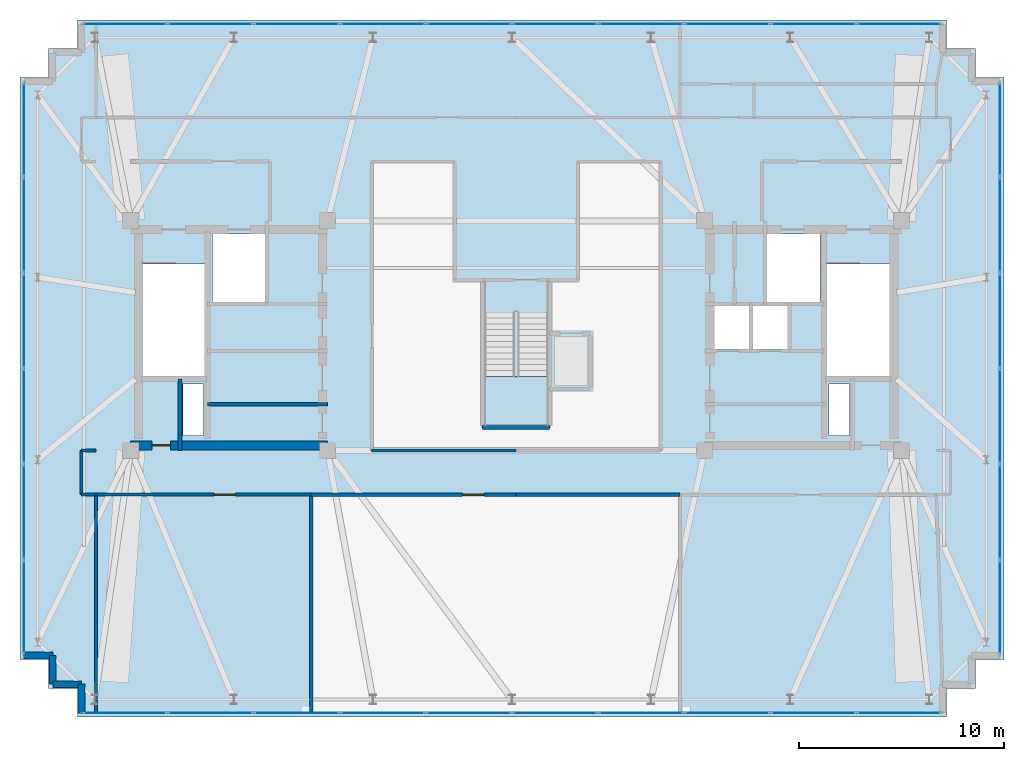
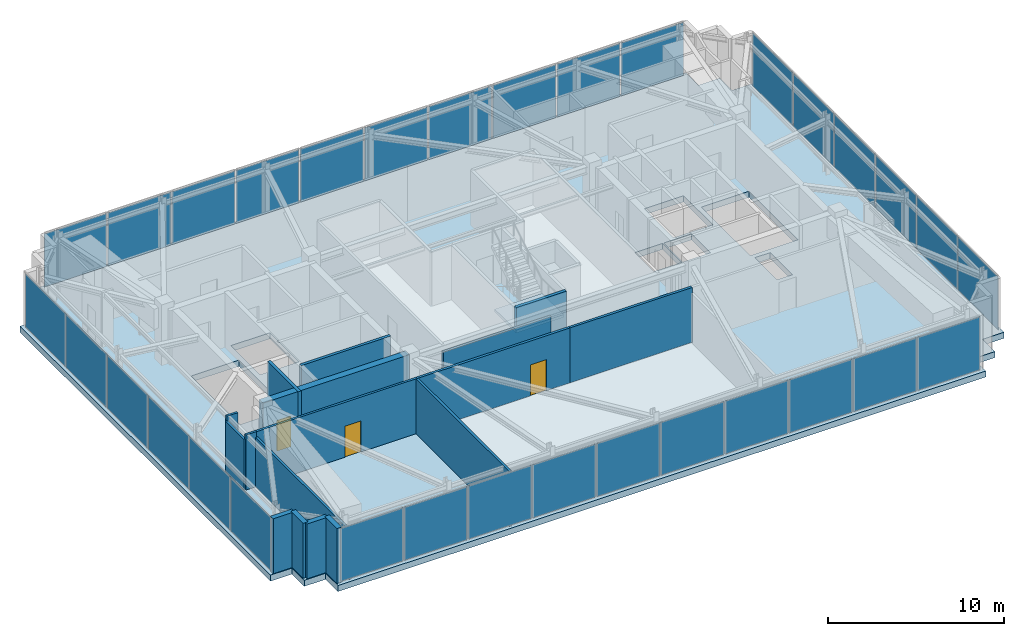
# One storey, part 21 of 27: 32 plates, 17 walls, 3 doors, 2 slabs, 3 openings, 5 elements without a shape of their own.
"""IFC4 building model written with IfcOpenShell, lengths in metres."""

from ifc_helpers import new_model, si_unit, direction, frame, frame_2d, origin, origin_2d, place, context, subcontext, project, spatial, polyline, rectangle, outline, extrude, material, layer, layer_set, type_object, element, fill, aggregate, save


model = new_model("IFC4")

# Units and contexts
model_context = context("Model", 3, precision=1e-05, world=origin(), true_north=direction((0.0, 1.0)))
body_context = subcontext(model_context, "Body", "Model", "MODEL_VIEW")
ifc_project = project(units=[si_unit("LENGTHUNIT", "METRE"), si_unit("AREAUNIT", "SQUARE_METRE"), si_unit("VOLUMEUNIT", "CUBIC_METRE"), si_unit("PLANEANGLEUNIT", "RADIAN"), si_unit("MASSUNIT", "GRAM", prefix="KILO")], contexts=[model_context])

# Site, building, storey
site_placement = place(None, origin())
site = spatial("IfcSite", under=ifc_project, at=site_placement, CompositionType="ELEMENT")
building_placement = place(site_placement, origin())
building = spatial("IfcBuilding", under=site, at=building_placement, Name="Qobustan Lattice House", CompositionType="ELEMENT")
storey_placement = place(building_placement, frame((0.0, 0.0, 266.0)))
storey = spatial("IfcBuildingStorey", under=building, at=storey_placement, Name="L75", CompositionType="ELEMENT", Elevation=266.0)

# Curtain wall, plates
ifc_material_1 = material(Name="Anodised aluminium and low-E glazing", Category="aluminium")
ifc_layer_1 = layer(ifc_material_1, 0.219970703125)
ifc_layer_set_1 = layer_set([ifc_layer_1], Name="Anodised aluminium and low-E glazing")
curtain_wall_type = type_object("IfcCurtainWallType", Name="CW-OBS-01", PredefinedType="USERDEFINED", material=ifc_layer_set_1)
curtain_wall_1_placement = place(storey_placement, origin())
curtain_wall_1 = element("IfcCurtainWall", 1, at=curtain_wall_1_placement, inside=storey, type_object=curtain_wall_type, Name="L75 W panoramic observation curtain wall", ObjectType="CURTAIN WALL", PredefinedType="USERDEFINED")
ifc_material_2 = material(Name="Clear low-E laminated glass", Category="glass")
ifc_layer_2 = layer(ifc_material_2, 0.031982421875)
ifc_layer_set_2 = layer_set([ifc_layer_2], Name="Clear low-E laminated glass")
plate_type = type_object("IfcPlateType", Name="CWP-VISION-32", PredefinedType="CURTAIN_PANEL", material=ifc_layer_set_2)
plate_1_placement = place(storey_placement, frame((-24.0, -13.24658203125, 0.06494140625), z_axis=(0.0, 0.0, 1.0), x_axis=(0.0, 1.0, 0.0)))
plate_1 = element("IfcPlate", 2, at=plate_1_placement, type_object=plate_type, Name="CW-OB panel 1.1", PredefinedType="CURTAIN_PANEL", context=body_context, shape_type="SweptSolid", body=[
    extrude(rectangle(XDim=4.546630859375, YDim=0.031982421875, at=origin_2d()), origin(), (0.0, 0.0, 1.0), 3.669921875),
])
plate_2_placement = place(storey_placement, frame((-24.0, -8.60009765625, 0.06494140625), z_axis=(0.0, 0.0, 1.0), x_axis=(0.0, 1.0, 0.0)))
plate_2 = element("IfcPlate", 3, at=plate_2_placement, type_object=plate_type, Name="CW-OB panel 2.1", PredefinedType="CURTAIN_PANEL", context=body_context, shape_type="SweptSolid", body=[
    extrude(rectangle(XDim=4.586669921875, YDim=0.031982421875, at=origin_2d()), origin(), (0.0, 0.0, 1.0), 3.669921875),
])
plate_3_placement = place(storey_placement, frame((-24.0, -3.933349609375, 0.06494140625), z_axis=(0.0, 0.0, 1.0), x_axis=(0.0, 1.0, 0.0)))
plate_3 = element("IfcPlate", 4, at=plate_3_placement, type_object=plate_type, Name="CW-OB panel 3.1", PredefinedType="CURTAIN_PANEL", context=body_context, shape_type="SweptSolid", body=[
    extrude(rectangle(XDim=4.586669921875, YDim=0.031982421875, at=origin_2d()), origin(), (0.0, 0.0, 1.0), 3.669921875),
])
plate_4_placement = place(storey_placement, frame((-24.0, 0.7333984375, 0.06494140625), z_axis=(0.0, 0.0, 1.0), x_axis=(0.0, 1.0, 0.0)))
plate_4 = element("IfcPlate", 5, at=plate_4_placement, type_object=plate_type, Name="CW-OB panel 4.1", PredefinedType="CURTAIN_PANEL", context=body_context, shape_type="SweptSolid", body=[
    extrude(rectangle(XDim=4.586669921875, YDim=0.031982421875, at=origin_2d()), origin(), (0.0, 0.0, 1.0), 3.669921875),
])
plate_5_placement = place(storey_placement, frame((-24.0, 5.39990234375, 0.06494140625), z_axis=(0.0, 0.0, 1.0), x_axis=(0.0, 1.0, 0.0)))
plate_5 = element("IfcPlate", 6, at=plate_5_placement, type_object=plate_type, Name="CW-OB panel 5.1", PredefinedType="CURTAIN_PANEL", context=body_context, shape_type="SweptSolid", body=[
    extrude(rectangle(XDim=4.586669921875, YDim=0.031982421875, at=origin_2d()), origin(), (0.0, 0.0, 1.0), 3.669921875),
])
plate_6_placement = place(storey_placement, frame((-24.0, 10.046630859375, 0.06494140625), z_axis=(0.0, 0.0, 1.0), x_axis=(0.0, 1.0, 0.0)))
plate_6 = element("IfcPlate", 7, at=plate_6_placement, type_object=plate_type, Name="CW-OB panel 6.1", PredefinedType="CURTAIN_PANEL", context=body_context, shape_type="SweptSolid", body=[
    extrude(rectangle(XDim=4.546630859375, YDim=0.031982421875, at=origin_2d()), origin(), (0.0, 0.0, 1.0), 3.669921875),
])
aggregate(curtain_wall_1, [plate_1, plate_2, plate_3, plate_4, plate_5, plate_6])

curtain_wall_2_placement = place(storey_placement, origin())
curtain_wall_2 = element("IfcCurtainWall", 8, at=curtain_wall_2_placement, inside=storey, type_object=curtain_wall_type, Name="L75 N panoramic observation curtain wall", ObjectType="CURTAIN WALL", PredefinedType="USERDEFINED")
plate_7_placement = place(storey_placement, frame((-19.080078125, 15.199951171875, 0.06494140625), z_axis=(0.0, 0.0, 1.0), x_axis=(1.0, 0.0, 0.0)))
plate_7 = element("IfcPlate", 9, at=plate_7_placement, type_object=plate_type, Name="CW-OB panel 1.1", PredefinedType="CURTAIN_PANEL", context=body_context, shape_type="SweptSolid", body=[
    extrude(rectangle(XDim=4.080078125, YDim=0.031982421875, at=origin_2d()), origin(), (0.0, 0.0, 1.0), 3.669921875),
])
plate_8_placement = place(storey_placement, frame((-14.89990234375, 15.199951171875, 0.06494140625), z_axis=(0.0, 0.0, 1.0), x_axis=(1.0, 0.0, 0.0)))
plate_8 = element("IfcPlate", 10, at=plate_8_placement, type_object=plate_type, Name="CW-OB panel 2.1", PredefinedType="CURTAIN_PANEL", context=body_context, shape_type="SweptSolid", body=[
    extrude(rectangle(XDim=4.1201171875, YDim=0.031982421875, at=origin_2d()), origin(), (0.0, 0.0, 1.0), 3.669921875),
])
plate_9_placement = place(storey_placement, frame((-10.699951171875, 15.199951171875, 0.06494140625), z_axis=(0.0, 0.0, 1.0), x_axis=(1.0, 0.0, 0.0)))
plate_9 = element("IfcPlate", 11, at=plate_9_placement, type_object=plate_type, Name="CW-OB panel 3.1", PredefinedType="CURTAIN_PANEL", context=body_context, shape_type="SweptSolid", body=[
    extrude(rectangle(XDim=4.1201171875, YDim=0.031982421875, at=origin_2d()), origin(), (0.0, 0.0, 1.0), 3.669921875),
])
plate_10_placement = place(storey_placement, frame((-6.5, 15.199951171875, 0.06494140625), z_axis=(0.0, 0.0, 1.0), x_axis=(1.0, 0.0, 0.0)))
plate_10 = element("IfcPlate", 12, at=plate_10_placement, type_object=plate_type, Name="CW-OB panel 4.1", PredefinedType="CURTAIN_PANEL", context=body_context, shape_type="SweptSolid", body=[
    extrude(rectangle(XDim=4.1201171875, YDim=0.031982421875, at=origin_2d()), origin(), (0.0, 0.0, 1.0), 3.669921875),
])
plate_11_placement = place(storey_placement, frame((-2.300048828125, 15.199951171875, 0.06494140625), z_axis=(0.0, 0.0, 1.0), x_axis=(1.0, 0.0, 0.0)))
plate_11 = element("IfcPlate", 13, at=plate_11_placement, type_object=plate_type, Name="CW-OB panel 5.1", PredefinedType="CURTAIN_PANEL", context=body_context, shape_type="SweptSolid", body=[
    extrude(rectangle(XDim=4.1201171875, YDim=0.031982421875, at=origin_2d()), origin(), (0.0, 0.0, 1.0), 3.669921875),
])
plate_12_placement = place(storey_placement, frame((1.89990234375, 15.199951171875, 0.06494140625), z_axis=(0.0, 0.0, 1.0), x_axis=(1.0, 0.0, 0.0)))
plate_12 = element("IfcPlate", 14, at=plate_12_placement, type_object=plate_type, Name="CW-OB panel 6.1", PredefinedType="CURTAIN_PANEL", context=body_context, shape_type="SweptSolid", body=[
    extrude(rectangle(XDim=4.1201171875, YDim=0.031982421875, at=origin_2d()), origin(), (0.0, 0.0, 1.0), 3.669921875),
])
plate_13_placement = place(storey_placement, frame((6.10009765625, 15.199951171875, 0.06494140625), z_axis=(0.0, 0.0, 1.0), x_axis=(1.0, 0.0, 0.0)))
plate_13 = element("IfcPlate", 15, at=plate_13_placement, type_object=plate_type, Name="CW-OB panel 7.1", PredefinedType="CURTAIN_PANEL", context=body_context, shape_type="SweptSolid", body=[
    extrude(rectangle(XDim=4.1201171875, YDim=0.031982421875, at=origin_2d()), origin(), (0.0, 0.0, 1.0), 3.669921875),
])
plate_14_placement = place(storey_placement, frame((10.300048828125, 15.199951171875, 0.06494140625), z_axis=(0.0, 0.0, 1.0), x_axis=(1.0, 0.0, 0.0)))
plate_14 = element("IfcPlate", 16, at=plate_14_placement, type_object=plate_type, Name="CW-OB panel 8.1", PredefinedType="CURTAIN_PANEL", context=body_context, shape_type="SweptSolid", body=[
    extrude(rectangle(XDim=4.1201171875, YDim=0.031982421875, at=origin_2d()), origin(), (0.0, 0.0, 1.0), 3.669921875),
])
plate_15_placement = place(storey_placement, frame((14.5, 15.199951171875, 0.06494140625), z_axis=(0.0, 0.0, 1.0), x_axis=(1.0, 0.0, 0.0)))
plate_15 = element("IfcPlate", 17, at=plate_15_placement, type_object=plate_type, Name="CW-OB panel 9.1", PredefinedType="CURTAIN_PANEL", context=body_context, shape_type="SweptSolid", body=[
    extrude(rectangle(XDim=4.1201171875, YDim=0.031982421875, at=origin_2d()), origin(), (0.0, 0.0, 1.0), 3.669921875),
])
plate_16_placement = place(storey_placement, frame((18.679931640625, 15.199951171875, 0.06494140625), z_axis=(0.0, 0.0, 1.0), x_axis=(1.0, 0.0, 0.0)))
plate_16 = element("IfcPlate", 18, at=plate_16_placement, type_object=plate_type, Name="CW-OB panel 10.1", PredefinedType="CURTAIN_PANEL", context=body_context, shape_type="SweptSolid", body=[
    extrude(rectangle(XDim=4.080078125, YDim=0.031982421875, at=origin_2d()), origin(), (0.0, 0.0, 1.0), 3.669921875),
])
aggregate(curtain_wall_2, [plate_7, plate_8, plate_9, plate_10, plate_11, plate_12, plate_13, plate_14, plate_15, plate_16])

curtain_wall_3_placement = place(storey_placement, origin())
curtain_wall_3 = element("IfcCurtainWall", 19, at=curtain_wall_3_placement, inside=storey, type_object=curtain_wall_type, Name="L75 E panoramic observation curtain wall", ObjectType="CURTAIN WALL", PredefinedType="USERDEFINED")
plate_17_placement = place(storey_placement, frame((23.60009765625, 10.046630859375, 0.06494140625), z_axis=(0.0, 0.0, 1.0), x_axis=(0.0, -1.0, 0.0)))
plate_17 = element("IfcPlate", 20, at=plate_17_placement, type_object=plate_type, Name="CW-OB panel 1.1", PredefinedType="CURTAIN_PANEL", context=body_context, shape_type="SweptSolid", body=[
    extrude(rectangle(XDim=4.546630859375, YDim=0.031982421875, at=origin_2d()), origin(), (0.0, 0.0, 1.0), 3.669921875),
])
plate_18_placement = place(storey_placement, frame((23.60009765625, 5.39990234375, 0.06494140625), z_axis=(0.0, 0.0, 1.0), x_axis=(0.0, -1.0, 0.0)))
plate_18 = element("IfcPlate", 21, at=plate_18_placement, type_object=plate_type, Name="CW-OB panel 2.1", PredefinedType="CURTAIN_PANEL", context=body_context, shape_type="SweptSolid", body=[
    extrude(rectangle(XDim=4.586669921875, YDim=0.031982421875, at=origin_2d()), origin(), (0.0, 0.0, 1.0), 3.669921875),
])
plate_19_placement = place(storey_placement, frame((23.60009765625, 0.7333984375, 0.06494140625), z_axis=(0.0, 0.0, 1.0), x_axis=(0.0, -1.0, 0.0)))
plate_19 = element("IfcPlate", 22, at=plate_19_placement, type_object=plate_type, Name="CW-OB panel 3.1", PredefinedType="CURTAIN_PANEL", context=body_context, shape_type="SweptSolid", body=[
    extrude(rectangle(XDim=4.586669921875, YDim=0.031982421875, at=origin_2d()), origin(), (0.0, 0.0, 1.0), 3.669921875),
])
plate_20_placement = place(storey_placement, frame((23.60009765625, -3.933349609375, 0.06494140625), z_axis=(0.0, 0.0, 1.0), x_axis=(0.0, -1.0, 0.0)))
plate_20 = element("IfcPlate", 23, at=plate_20_placement, type_object=plate_type, Name="CW-OB panel 4.1", PredefinedType="CURTAIN_PANEL", context=body_context, shape_type="SweptSolid", body=[
    extrude(rectangle(XDim=4.586669921875, YDim=0.031982421875, at=origin_2d()), origin(), (0.0, 0.0, 1.0), 3.669921875),
])
plate_21_placement = place(storey_placement, frame((23.60009765625, -8.60009765625, 0.06494140625), z_axis=(0.0, 0.0, 1.0), x_axis=(0.0, -1.0, 0.0)))
plate_21 = element("IfcPlate", 24, at=plate_21_placement, type_object=plate_type, Name="CW-OB panel 5.1", PredefinedType="CURTAIN_PANEL", context=body_context, shape_type="SweptSolid", body=[
    extrude(rectangle(XDim=4.586669921875, YDim=0.031982421875, at=origin_2d()), origin(), (0.0, 0.0, 1.0), 3.669921875),
])
plate_22_placement = place(storey_placement, frame((23.60009765625, -13.24658203125, 0.06494140625), z_axis=(0.0, 0.0, 1.0), x_axis=(0.0, -1.0, 0.0)))
plate_22 = element("IfcPlate", 25, at=plate_22_placement, type_object=plate_type, Name="CW-OB panel 6.1", PredefinedType="CURTAIN_PANEL", context=body_context, shape_type="SweptSolid", body=[
    extrude(rectangle(XDim=4.546630859375, YDim=0.031982421875, at=origin_2d()), origin(), (0.0, 0.0, 1.0), 3.669921875),
])
aggregate(curtain_wall_3, [plate_17, plate_18, plate_19, plate_20, plate_21, plate_22])

curtain_wall_4_placement = place(storey_placement, origin())
curtain_wall_4 = element("IfcCurtainWall", 26, at=curtain_wall_4_placement, inside=storey, type_object=curtain_wall_type, Name="L75 S panoramic observation curtain wall", ObjectType="CURTAIN WALL", PredefinedType="USERDEFINED")
plate_23_placement = place(storey_placement, frame((18.679931640625, -18.39990234375, 0.06494140625), z_axis=(0.0, 0.0, 1.0), x_axis=(-1.0, 0.0, 0.0)))
plate_23 = element("IfcPlate", 27, at=plate_23_placement, type_object=plate_type, Name="CW-OB panel 1.1", PredefinedType="CURTAIN_PANEL", context=body_context, shape_type="SweptSolid", body=[
    extrude(rectangle(XDim=4.080078125, YDim=0.031982421875, at=origin_2d()), origin(), (0.0, 0.0, 1.0), 3.669921875),
])
plate_24_placement = place(storey_placement, frame((14.5, -18.39990234375, 0.06494140625), z_axis=(0.0, 0.0, 1.0), x_axis=(-1.0, 0.0, 0.0)))
plate_24 = element("IfcPlate", 28, at=plate_24_placement, type_object=plate_type, Name="CW-OB panel 2.1", PredefinedType="CURTAIN_PANEL", context=body_context, shape_type="SweptSolid", body=[
    extrude(rectangle(XDim=4.1201171875, YDim=0.031982421875, at=origin_2d()), origin(), (0.0, 0.0, 1.0), 3.669921875),
])
plate_25_placement = place(storey_placement, frame((10.300048828125, -18.39990234375, 0.06494140625), z_axis=(0.0, 0.0, 1.0), x_axis=(-1.0, 0.0, 0.0)))
plate_25 = element("IfcPlate", 29, at=plate_25_placement, type_object=plate_type, Name="CW-OB panel 3.1", PredefinedType="CURTAIN_PANEL", context=body_context, shape_type="SweptSolid", body=[
    extrude(rectangle(XDim=4.1201171875, YDim=0.031982421875, at=origin_2d()), origin(), (0.0, 0.0, 1.0), 3.669921875),
])
plate_26_placement = place(storey_placement, frame((6.10009765625, -18.39990234375, 0.06494140625), z_axis=(0.0, 0.0, 1.0), x_axis=(-1.0, 0.0, 0.0)))
plate_26 = element("IfcPlate", 30, at=plate_26_placement, type_object=plate_type, Name="CW-OB panel 4.1", PredefinedType="CURTAIN_PANEL", context=body_context, shape_type="SweptSolid", body=[
    extrude(rectangle(XDim=4.1201171875, YDim=0.031982421875, at=origin_2d()), origin(), (0.0, 0.0, 1.0), 3.669921875),
])
plate_27_placement = place(storey_placement, frame((1.89990234375, -18.39990234375, 0.06494140625), z_axis=(0.0, 0.0, 1.0), x_axis=(-1.0, 0.0, 0.0)))
plate_27 = element("IfcPlate", 31, at=plate_27_placement, type_object=plate_type, Name="CW-OB panel 5.1", PredefinedType="CURTAIN_PANEL", context=body_context, shape_type="SweptSolid", body=[
    extrude(rectangle(XDim=4.1201171875, YDim=0.031982421875, at=origin_2d()), origin(), (0.0, 0.0, 1.0), 3.669921875),
])
plate_28_placement = place(storey_placement, frame((-2.300048828125, -18.39990234375, 0.06494140625), z_axis=(0.0, 0.0, 1.0), x_axis=(-1.0, 0.0, 0.0)))
plate_28 = element("IfcPlate", 32, at=plate_28_placement, type_object=plate_type, Name="CW-OB panel 6.1", PredefinedType="CURTAIN_PANEL", context=body_context, shape_type="SweptSolid", body=[
    extrude(rectangle(XDim=4.1201171875, YDim=0.031982421875, at=origin_2d()), origin(), (0.0, 0.0, 1.0), 3.669921875),
])
plate_29_placement = place(storey_placement, frame((-6.5, -18.39990234375, 0.06494140625), z_axis=(0.0, 0.0, 1.0), x_axis=(-1.0, 0.0, 0.0)))
plate_29 = element("IfcPlate", 33, at=plate_29_placement, type_object=plate_type, Name="CW-OB panel 7.1", PredefinedType="CURTAIN_PANEL", context=body_context, shape_type="SweptSolid", body=[
    extrude(rectangle(XDim=4.1201171875, YDim=0.031982421875, at=origin_2d()), origin(), (0.0, 0.0, 1.0), 3.669921875),
])
plate_30_placement = place(storey_placement, frame((-10.699951171875, -18.39990234375, 0.06494140625), z_axis=(0.0, 0.0, 1.0), x_axis=(-1.0, 0.0, 0.0)))
plate_30 = element("IfcPlate", 34, at=plate_30_placement, type_object=plate_type, Name="CW-OB panel 8.1", PredefinedType="CURTAIN_PANEL", context=body_context, shape_type="SweptSolid", body=[
    extrude(rectangle(XDim=4.1201171875, YDim=0.031982421875, at=origin_2d()), origin(), (0.0, 0.0, 1.0), 3.669921875),
])
plate_31_placement = place(storey_placement, frame((-14.89990234375, -18.39990234375, 0.06494140625), z_axis=(0.0, 0.0, 1.0), x_axis=(-1.0, 0.0, 0.0)))
plate_31 = element("IfcPlate", 35, at=plate_31_placement, type_object=plate_type, Name="CW-OB panel 9.1", PredefinedType="CURTAIN_PANEL", context=body_context, shape_type="SweptSolid", body=[
    extrude(rectangle(XDim=4.1201171875, YDim=0.031982421875, at=origin_2d()), origin(), (0.0, 0.0, 1.0), 3.669921875),
])
plate_32_placement = place(storey_placement, frame((-19.080078125, -18.39990234375, 0.06494140625), z_axis=(0.0, 0.0, 1.0), x_axis=(-1.0, 0.0, 0.0)))
plate_32 = element("IfcPlate", 36, at=plate_32_placement, type_object=plate_type, Name="CW-OB panel 10.1", PredefinedType="CURTAIN_PANEL", context=body_context, shape_type="SweptSolid", body=[
    extrude(rectangle(XDim=4.080078125, YDim=0.031982421875, at=origin_2d()), origin(), (0.0, 0.0, 1.0), 3.669921875),
])
aggregate(curtain_wall_4, [plate_23, plate_24, plate_25, plate_26, plate_27, plate_28, plate_29, plate_30, plate_31, plate_32])

# Slab
ifc_material_3 = material(Name="Concrete C50/60", Category="concrete")
ifc_layer_3 = layer(ifc_material_3, 0.419921875)
ifc_layer_set_3 = layer_set([ifc_layer_3], Name="Concrete C50/60")
slab_type_1 = type_object("IfcSlabType", Name="SLB-FLR-420", PredefinedType="FLOOR", material=ifc_layer_set_3)
slab_1_placement = place(storey_placement, frame((0.0, 0.0, -0.419921875)))
element("IfcSlab", 37, at=slab_1_placement, inside=storey, type_object=slab_type_1, Name="L75 structural floor slab", PredefinedType="FLOOR", context=body_context, shape_type="SweptSolid", body=[
    extrude(outline(polyline([(-21.39990234375, -18.60009765625), (21.0, -18.60009765625), (21.0, -17.199951171875), (22.39990234375, -17.199951171875), (22.39990234375, -15.800048828125), (23.800048828125, -15.800048828125), (23.800048828125, 12.60009765625), (22.39990234375, 12.60009765625), (22.39990234375, 14.0), (21.0, 14.0), (21.0, 15.39990234375), (-21.39990234375, 15.39990234375), (-21.39990234375, 14.0), (-22.800048828125, 14.0), (-22.800048828125, 12.60009765625), (-24.199951171875, 12.60009765625), (-24.199951171875, -15.800048828125), (-22.800048828125, -15.800048828125), (-22.800048828125, -17.199951171875), (-21.39990234375, -17.199951171875), (-21.39990234375, -18.60009765625)]), holes=[polyline([(-18.25, -2.050048828125), (-18.25, 3.489990234375), (-15.1298828125, 3.489990234375), (-15.1298828125, -2.050048828125), (-18.25, -2.050048828125)]), polyline([(15.1298828125, -2.050048828125), (15.1298828125, 3.489990234375), (18.25, 3.489990234375), (18.25, -2.050048828125), (15.1298828125, -2.050048828125)]), polyline([(-14.820068359375, 1.64990234375), (-14.820068359375, 4.9599609375), (-12.25, 4.9599609375), (-12.25, 1.64990234375), (-14.820068359375, 1.64990234375)]), polyline([(12.25, 1.64990234375), (12.25, 4.9599609375), (14.820068359375, 4.9599609375), (14.820068359375, 1.64990234375), (12.25, 1.64990234375)]), polyline([(-16.260009765625, -4.8798828125), (-16.260009765625, -2.360107421875), (-15.260009765625, -2.360107421875), (-15.260009765625, -4.8798828125), (-16.260009765625, -4.8798828125)]), polyline([(15.260009765625, -4.8798828125), (15.260009765625, -2.360107421875), (16.260009765625, -2.360107421875), (16.260009765625, -4.8798828125), (15.260009765625, -4.8798828125)]), polyline([(9.6201171875, -0.679931640625), (9.6201171875, 1.47998046875), (11.43994140625, 1.47998046875), (11.43994140625, -0.679931640625), (9.6201171875, -0.679931640625)]), polyline([(11.5, -0.679931640625), (11.5, 1.47998046875), (13.320068359375, 1.47998046875), (13.320068359375, -0.679931640625), (11.5, -0.679931640625)])]), origin(), (0.0, 0.0, 1.0), 0.419921875),
])

# Stair, slab
ifc_material_4 = material(Name="Concrete C40/50", Category="concrete")
stair_type = type_object("IfcStairType", Name="STR-CORE-DOGLEG", PredefinedType="HALF_TURN_STAIR", material=ifc_material_4)
stair_placement = place(storey_placement, origin())
stair = element("IfcStair", 38, at=stair_placement, inside=storey, type_object=stair_type, Name="L75 Crown access stair ST-C1", PredefinedType="HALF_TURN_STAIR")
ifc_material_5 = material(Name="Concrete C40/50", Category="concrete")
ifc_layer_4 = layer(ifc_material_5, 0.199951171875)
ifc_layer_set_4 = layer_set([ifc_layer_4], Name="Concrete C40/50")
slab_type_2 = type_object("IfcSlabType", Name="SLB-LANDING-200", PredefinedType="LANDING", material=ifc_layer_set_4)
slab_2_placement = place(storey_placement, frame((0.0, 0.0, 1.89990234375)))
slab_2 = element("IfcSlab", 39, at=slab_2_placement, type_object=slab_type_2, Name="ST-C1 landing 1", PredefinedType="LANDING", context=body_context, shape_type="SweptSolid", body=[
    extrude(outline(polyline([(-1.56005859375, -1.985107421875), (-1.56005859375, -4.39990234375), (1.56005859375, -4.39990234375), (1.56005859375, -1.985107421875), (-1.56005859375, -1.985107421875)])), origin(), (0.0, 0.0, 1.0), 0.2001953125),
])
aggregate(stair, [slab_2])

# Wall, opening, door
ifc_material_6 = material(Name="Concrete C50/60", Category="concrete")
ifc_layer_5 = layer(ifc_material_6, 0.43994140625)
ifc_layer_set_5 = layer_set([ifc_layer_5], Name="Concrete C50/60")
wall_type_1 = type_object("IfcWallType", Name="WAL-CORE-440", PredefinedType="SHEAR", material=ifc_layer_set_5)
wall_1_placement = place(storey_placement, frame((-18.800048828125, -5.35009765625, 0.0), z_axis=(0.0, 0.0, 1.0), x_axis=(1.0, 0.0, 0.0)))
wall_1 = element("IfcWall", 40, at=wall_1_placement, inside=storey, type_object=wall_type_1, Name="L75 split-core shear wall CW-S", PredefinedType="SHEAR", context=body_context, shape_type="SweptSolid", body=[
    extrude(rectangle(XDim=9.60009765625, YDim=0.43994140625, at=frame_2d((4.800048828125, 0.0))), origin(), (0.0, 0.0, 1.0), 3.800048828125),
])
opening_1_placement = place(wall_1_placement, frame((1.050048828125, 0.0, 0.0)))
opening_1 = element("IfcOpeningElement", 41, at=opening_1_placement, cuts=wall_1, Name="Opening RD-01", PredefinedType="OPENING", context=body_context, shape_type="SweptSolid", body=[
    extrude(rectangle(XDim=0.89990234375, YDim=2.10009765625, at=frame_2d((0.449951171875, 1.050048828125))), frame((0.0, 0.22998046875, 0.0), z_axis=(0.0, -1.0, 0.0), x_axis=(1.0, 0.0, 0.0)), (0.0, 0.0, 1.0), 0.4599609375),
])
ifc_material_7 = material(Name="Persian walnut timber and steel frame door", Category="steel")
door_type_1 = type_object("IfcDoorType", Name="DOR-RISER-FD-900x2100", OperationType="NOTDEFINED", PredefinedType="DOOR", material=ifc_material_7)
door_1_placement = place(opening_1_placement, origin())
door_1 = element("IfcDoor", 42, at=door_1_placement, inside=storey, type_object=door_type_1, Name="L75 core service riser access door W", OperationType="SINGLE_SWING_LEFT", OverallHeight=2.10009765625, OverallWidth=0.89990234375, PredefinedType="DOOR", context=body_context, shape_type="SweptSolid", body=[
    extrude(rectangle(XDim=0.89990234375, YDim=2.10009765625, at=frame_2d((0.449951171875, 1.050048828125))), frame((0.0, 0.02490234375, 0.0), z_axis=(0.0, -1.0, 0.0), x_axis=(1.0, 0.0, 0.0)), (0.0, 0.0, 1.0), 0.050048828125),
])
fill(opening_1, door_1)

# Walls
ifc_material_8 = material(Name="Precast concrete C40/50", Category="concrete")
ifc_layer_6 = layer(ifc_material_8, 0.320068359375)
ifc_layer_set_6 = layer_set([ifc_layer_6], Name="Precast concrete C40/50")
wall_type_2 = type_object("IfcWallType", Name="WAL-EXT-STONE-320", PredefinedType="SOLIDWALL", material=ifc_layer_set_6)
wall_2_placement = place(storey_placement, frame((-21.199951171875, -18.39990234375, 0.0), z_axis=(0.0, 0.0, 1.0), x_axis=(0.0, 1.0, 0.0)))
element("IfcWall", 43, at=wall_2_placement, inside=storey, type_object=wall_type_2, Name="L75 exterior limestone-clad wall 1", PredefinedType="SOLIDWALL", context=body_context, shape_type="SweptSolid", body=[
    extrude(rectangle(XDim=1.39990234375, YDim=0.320068359375, at=frame_2d((0.699951171875, 0.0))), origin(), (0.0, 0.0, 1.0), 3.800048828125),
])
wall_3_placement = place(storey_placement, frame((-21.199951171875, -17.0, 0.0), z_axis=(0.0, 0.0, 1.0), x_axis=(-1.0, 0.0, 0.0)))
element("IfcWall", 44, at=wall_3_placement, inside=storey, type_object=wall_type_2, Name="L75 exterior limestone-clad wall 2", PredefinedType="SOLIDWALL", context=body_context, shape_type="SweptSolid", body=[
    extrude(rectangle(XDim=1.400146484375, YDim=0.320068359375, at=frame_2d((0.7001953125, 0.0))), origin(), (0.0, 0.0, 1.0), 3.800048828125),
])
for number, where, z_axis, x_axis, name in (
    (45, (-22.60009765625, -17.0, 0.0), (0.0, 0.0, 1.0), (0.0, 1.0, 0.0), "L75 exterior limestone-clad wall 3"),
    (46, (-22.60009765625, -15.60009765625, 0.0), (0.0, 0.0, 1.0), (-1.0, 0.0, 0.0), "L75 exterior limestone-clad wall 4"),
):
    element("IfcWall", number, at=place(storey_placement, frame(where, z_axis=z_axis, x_axis=x_axis)), inside=storey, type_object=wall_type_2, Name=name, PredefinedType="SOLIDWALL", context=body_context, shape_type="SweptSolid", body=[
        extrude(rectangle(XDim=1.39990234375, YDim=0.320068359375, at=frame_2d((0.699951171875, 0.0))), origin(), (0.0, 0.0, 1.0), 3.800048828125),
    ])
ifc_material_9 = material(Name="Gypsum fireboard acoustic partition", Category="gypsum")
ifc_layer_7 = layer(ifc_material_9, 0.179931640625)
ifc_layer_set_7 = layer_set([ifc_layer_7], Name="Gypsum fireboard acoustic partition")
wall_type_3 = type_object("IfcWallType", Name="WAL-FIRE-180", PredefinedType="PARTITIONING", material=ifc_layer_set_7)
wall_4_placement = place(storey_placement, frame((-15.050048828125, -3.35009765625, 0.0), z_axis=(0.0, 0.0, 1.0), x_axis=(1.0, 0.0, 0.0)))
element("IfcWall", 47, at=wall_4_placement, inside=storey, type_object=wall_type_3, Name="L75 interior partition 7", PredefinedType="PARTITIONING", context=body_context, shape_type="SweptSolid", body=[
    extrude(rectangle(XDim=5.85009765625, YDim=0.179931640625, at=frame_2d((2.925048828125, 0.0))), origin(), (0.0, 0.0, 1.0), 3.800048828125),
])

# Wall, opening, door
ifc_material_10 = material(Name="Acoustic twin-stud gypsum partition", Category="gypsum")
ifc_layer_8 = layer(ifc_material_10, 0.14990234375)
ifc_layer_set_8 = layer_set([ifc_layer_8], Name="Acoustic twin-stud gypsum partition")
wall_type_4 = type_object("IfcWallType", Name="WAL-PART-150", PredefinedType="PARTITIONING", material=ifc_layer_set_8)
wall_5_placement = place(storey_placement, frame((-10.0, -7.75, 0.0), z_axis=(0.0, 0.0, 1.0), x_axis=(-1.0, 0.0, 0.0)))
wall_5 = element("IfcWall", 48, at=wall_5_placement, inside=storey, type_object=wall_type_4, Name="L75 interior partition 40", PredefinedType="PARTITIONING", context=body_context, shape_type="SweptSolid", body=[
    extrude(rectangle(XDim=10.5, YDim=0.14990234375, at=frame_2d((5.25, 0.0))), origin(), (0.0, 0.0, 1.0), 3.800048828125),
])
opening_2_placement = place(wall_5_placement, frame((3.688720703125, 0.0, 0.0)))
opening_2 = element("IfcOpeningElement", 49, at=opening_2_placement, cuts=wall_5, Name="Opening ID-02", PredefinedType="OPENING", context=body_context, shape_type="SweptSolid", body=[
    extrude(rectangle(XDim=1.050048828125, YDim=2.14990234375, at=frame_2d((0.52490234375, 1.074951171875))), frame((0.0, 0.0849609375, 0.0), z_axis=(0.0, -1.0, 0.0), x_axis=(1.0, 0.0, 0.0)), (0.0, 0.0, 1.0), 0.169921875),
])
ifc_material_11 = material(Name="Persian walnut timber and steel frame door", Category="steel")
door_type_2 = type_object("IfcDoorType", Name="DOR-STUDY-1050x2150", OperationType="NOTDEFINED", PredefinedType="DOOR", material=ifc_material_11)
door_2_placement = place(opening_2_placement, origin())
door_2 = element("IfcDoor", 50, at=door_2_placement, inside=storey, type_object=door_type_2, Name="L75 South-west floor corridor to South-west reading lounge door", OperationType="SINGLE_SWING_RIGHT", OverallHeight=2.14990234375, OverallWidth=1.050048828125, PredefinedType="DOOR", context=body_context, shape_type="SweptSolid", body=[
    extrude(rectangle(XDim=1.050048828125, YDim=2.14990234375, at=frame_2d((0.52490234375, 1.074951171875))), frame((0.0, 0.02490234375, 0.0), z_axis=(0.0, -1.0, 0.0), x_axis=(1.0, 0.0, 0.0)), (0.0, 0.0, 1.0), 0.050048828125),
])
fill(opening_2, door_2)

# Walls
wall_6_placement = place(storey_placement, frame((-21.199951171875, -7.75, 0.0), z_axis=(0.0, 0.0, 1.0), x_axis=(0.0, 1.0, 0.0)))
element("IfcWall", 51, at=wall_6_placement, inside=storey, type_object=wall_type_4, Name="L75 interior partition 41", PredefinedType="PARTITIONING", context=body_context, shape_type="SweptSolid", body=[
    extrude(rectangle(XDim=2.14990234375, YDim=0.14990234375, at=frame_2d((1.074951171875, 0.0))), origin(), (0.0, 0.0, 1.0), 3.455078125),
])
for number, where, z_axis, x_axis, name in (
    (52, (-20.5, -7.75, 0.0), (0.0, 0.0, 1.0), (-1.0, 0.0, 0.0), "L75 interior partition 42"),
    (53, (-21.199951171875, -5.60009765625, 0.0), (0.0, 0.0, 1.0), (1.0, 0.0, 0.0), "L75 interior partition 43"),
):
    element("IfcWall", number, at=place(storey_placement, frame(where, z_axis=z_axis, x_axis=x_axis)), inside=storey, type_object=wall_type_4, Name=name, PredefinedType="PARTITIONING", context=body_context, shape_type="SweptSolid", body=[
        extrude(rectangle(XDim=0.699951171875, YDim=0.14990234375, at=frame_2d((0.35009765625, 0.0))), origin(), (0.0, 0.0, 1.0), 3.800048828125),
    ])
wall_7_placement = place(storey_placement, frame((-20.5, -18.39990234375, 0.0), z_axis=(0.0, 0.0, 1.0), x_axis=(0.0, 1.0, 0.0)))
element("IfcWall", 54, at=wall_7_placement, inside=storey, type_object=wall_type_4, Name="L75 interior partition 58", PredefinedType="PARTITIONING", context=body_context, shape_type="SweptSolid", body=[
    extrude(rectangle(XDim=10.64990234375, YDim=0.14990234375, at=frame_2d((5.324951171875, 0.0))), origin(), (0.0, 0.0, 1.0), 3.425048828125),
])
ifc_material_12 = material(Name="High-mass acoustic twin-stud partition", Category="gypsum")
ifc_layer_9 = layer(ifc_material_12, 0.1650390625)
ifc_layer_set_9 = layer_set([ifc_layer_9], Name="High-mass acoustic twin-stud partition")
wall_type_5 = type_object("IfcWallType", Name="WAL-PART-165", PredefinedType="PARTITIONING", material=ifc_layer_set_9)
wall_8_placement = place(storey_placement, frame((-7.050048828125, -5.60009765625, 0.0), z_axis=(0.0, 0.0, 1.0), x_axis=(1.0, 0.0, 0.0)))
element("IfcWall", 55, at=wall_8_placement, inside=storey, type_object=wall_type_5, Name="L75 interior partition 38", PredefinedType="PARTITIONING", context=body_context, shape_type="SweptSolid", body=[
    extrude(rectangle(XDim=7.050048828125, YDim=0.1650390625, at=frame_2d((3.52490234375, 0.0))), origin(), (0.0, 0.0, 1.0), 3.284912109375),
])

# Wall, opening, door
wall_9_placement = place(storey_placement, frame((0.0, -7.75, 0.0), z_axis=(0.0, 0.0, 1.0), x_axis=(-1.0, 0.0, 0.0)))
wall_9 = element("IfcWall", 56, at=wall_9_placement, inside=storey, type_object=wall_type_5, Name="L75 interior partition 39", PredefinedType="PARTITIONING", context=body_context, shape_type="SweptSolid", body=[
    extrude(rectangle(XDim=10.0, YDim=0.1650390625, at=frame_2d((5.0, 0.0))), origin(), (0.0, 0.0, 1.0), 3.800048828125),
])
opening_3_placement = place(wall_9_placement, frame((1.5537109375, 0.0, 0.0)))
opening_3 = element("IfcOpeningElement", 57, at=opening_3_placement, cuts=wall_9, Name="Opening ID-02", PredefinedType="OPENING", context=body_context, shape_type="SweptSolid", body=[
    extrude(rectangle(XDim=1.050048828125, YDim=2.14990234375, at=frame_2d((0.52490234375, 1.074951171875))), frame((0.0, 0.092529296875, 0.0), z_axis=(0.0, -1.0, 0.0), x_axis=(1.0, 0.0, 0.0)), (0.0, 0.0, 1.0), 0.18505859375),
])
door_3_placement = place(opening_3_placement, origin())
door_3 = element("IfcDoor", 58, at=door_3_placement, inside=storey, type_object=door_type_2, Name="L75 South-west floor corridor to Caspian sky cafe dining room door", OperationType="SINGLE_SWING_LEFT", OverallHeight=2.14990234375, OverallWidth=1.050048828125, PredefinedType="DOOR", context=body_context, shape_type="SweptSolid", body=[
    extrude(rectangle(XDim=1.050048828125, YDim=2.14990234375, at=frame_2d((0.52490234375, 1.074951171875))), frame((0.0, 0.02490234375, 0.0), z_axis=(0.0, -1.0, 0.0), x_axis=(1.0, 0.0, 0.0)), (0.0, 0.0, 1.0), 0.050048828125),
])
fill(opening_3, door_3)

# Walls
wall_10_placement = place(storey_placement, frame((8.0, -7.75, 0.0), z_axis=(0.0, 0.0, 1.0), x_axis=(-1.0, 0.0, 0.0)))
element("IfcWall", 59, at=wall_10_placement, inside=storey, type_object=wall_type_5, Name="L75 interior partition 45", PredefinedType="PARTITIONING", context=body_context, shape_type="SweptSolid", body=[
    extrude(rectangle(XDim=8.0, YDim=0.1650390625, at=frame_2d((4.0, 0.0))), origin(), (0.0, 0.0, 1.0), 3.800048828125),
])
wall_11_placement = place(storey_placement, frame((-10.0, -18.39990234375, 0.0), z_axis=(0.0, 0.0, 1.0), x_axis=(0.0, 1.0, 0.0)))
element("IfcWall", 60, at=wall_11_placement, inside=storey, type_object=wall_type_5, Name="L75 interior partition 56", PredefinedType="PARTITIONING", context=body_context, shape_type="SweptSolid", body=[
    extrude(rectangle(XDim=10.64990234375, YDim=0.1650390625, at=frame_2d((5.324951171875, 0.0))), origin(), (0.0, 0.0, 1.0), 3.800048828125),
])
ifc_material_13 = material(Name="Concrete C40/50", Category="concrete")
ifc_layer_10 = layer(ifc_material_13, 0.199951171875)
ifc_layer_set_10 = layer_set([ifc_layer_10], Name="Concrete C40/50")
wall_type_6 = type_object("IfcWallType", Name="WAL-SHAFT-200", PredefinedType="PARTITIONING", material=ifc_layer_set_10)
wall_12_placement = place(storey_placement, frame((-16.39990234375, -5.60009765625, 0.0), z_axis=(0.0, 0.0, 1.0), x_axis=(0.0, 1.0, 0.0)))
element("IfcWall", 61, at=wall_12_placement, inside=storey, type_object=wall_type_6, Name="L75 interior partition 1", PredefinedType="PARTITIONING", context=body_context, shape_type="SweptSolid", body=[
    extrude(rectangle(XDim=3.489990234375, YDim=0.199951171875, at=frame_2d((1.7451171875, 0.0))), origin(), (0.0, 0.0, 1.0), 3.800048828125),
])
ifc_material_14 = material(Name="Concrete C40/50", Category="concrete")
ifc_layer_11 = layer(ifc_material_14, 0.199951171875)
ifc_layer_set_11 = layer_set([ifc_layer_11], Name="Concrete C40/50")
wall_type_7 = type_object("IfcWallType", Name="WAL-SHAFT-LB-200", PredefinedType="SHEAR", material=ifc_layer_set_11)
wall_13_placement = place(storey_placement, frame((-1.639892578125, -4.47998046875, 0.0), z_axis=(0.0, 0.0, 1.0), x_axis=(1.0, 0.0, 0.0)))
element("IfcWall", 62, at=wall_13_placement, inside=storey, type_object=wall_type_7, Name="L75 crown stair ST-C1 RC shaft wall STC-S", PredefinedType="SHEAR", context=body_context, shape_type="SweptSolid", body=[
    extrude(rectangle(XDim=3.27978515625, YDim=0.199951171875, at=frame_2d((1.639892578125, 0.0))), origin(), (0.0, 0.0, 1.0), 3.800048828125),
])

save(model, "model.ifc")
